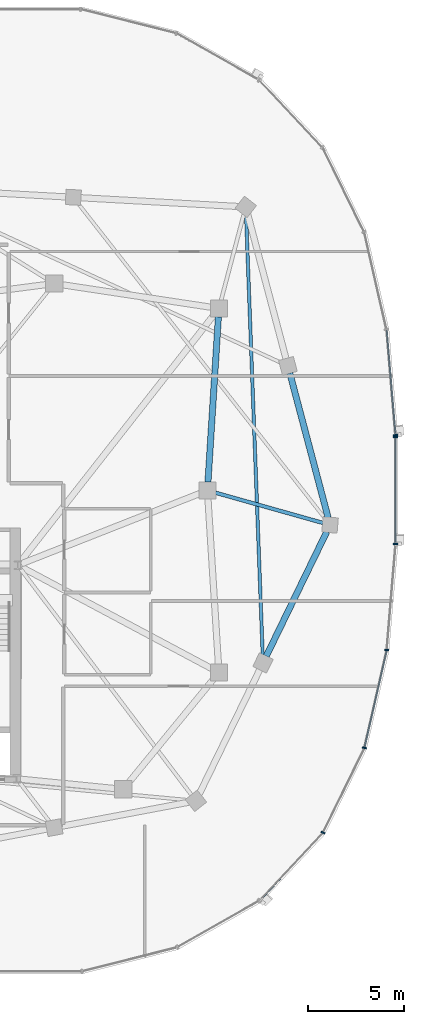
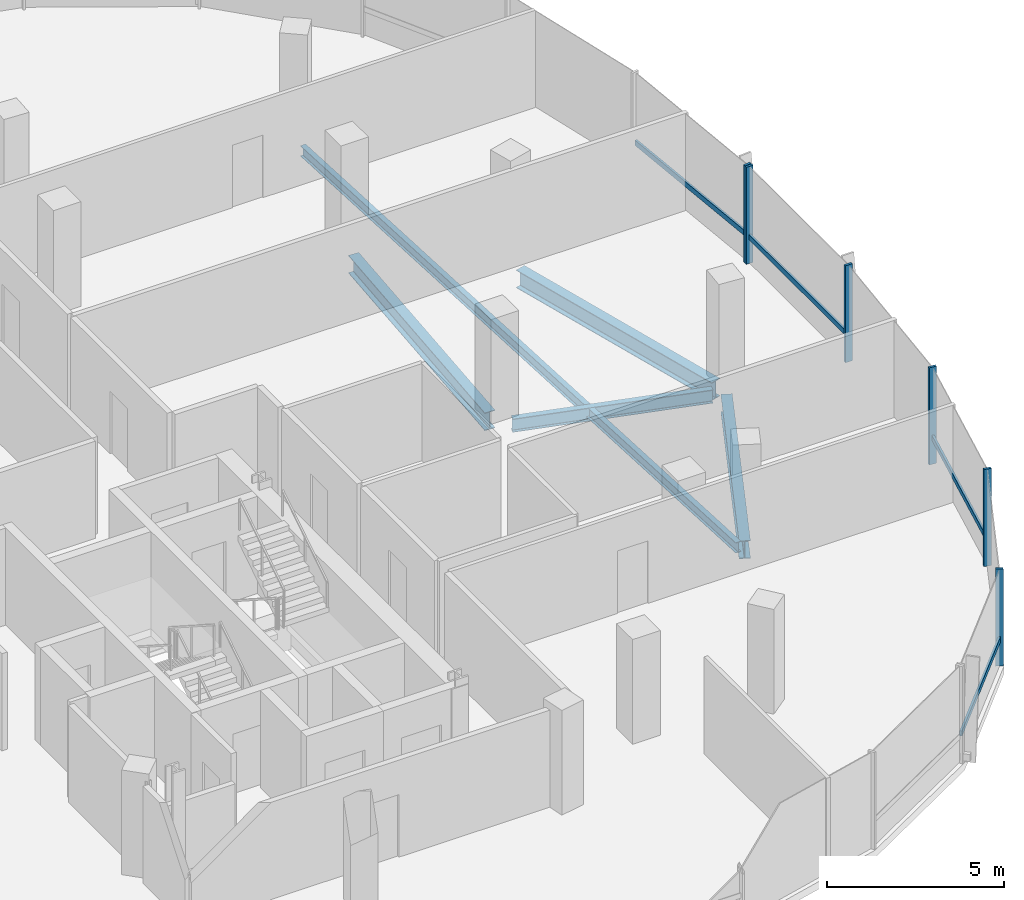
# One storey, part 9 of 25: 10 members, 5 beams, 2 elements without a shape of their own.
"""IFC4 building model written with IfcOpenShell, lengths in metres."""

import ifcopenshell
import ifcopenshell.guid

model = None  # the IFC model being written
_history = None  # IfcOwnerHistory: only IFC2X3 demands one
_inside = {}  # id of a spatial element -> (the spatial element, [elements in it])
_under = {}  # id of a project, library or spatial element -> (it, [spatial elements below it])
_declared = {}  # id of a project -> (the project, [libraries it declares])
_typed = {}  # id of a type object -> (the type object, [elements of that type])
_made_of = {}  # id of a material, layer set ... -> (it, [elements and type objects made of it])


def new_model(schema):
    """Start an empty IFC model of exactly this schema.

    Asked for "IFC4X3", IfcOpenShell would pick the latest addendum, in which some entities
    have other attributes; the version numbers below select the first issue.
    IFC2X3 requires an IfcOwnerHistory on every rooted entity: one is made here for all.
    """
    global model, _history
    if schema == "IFC4X3":
        model = ifcopenshell.file(schema_version=(4, 3, 0, 0))
    else:
        model = ifcopenshell.file(schema=schema)
    _inside.clear()
    _under.clear()
    _declared.clear()
    _typed.clear()
    _made_of.clear()
    _history = None
    if model.schema == "IFC2X3":
        org = make("IfcOrganization", Name="unknown")
        user = make(
            "IfcPersonAndOrganization",
            ThePerson=make("IfcPerson", FamilyName="unknown"),
            TheOrganization=org,
        )
        app = make(
            "IfcApplication",
            ApplicationDeveloper=org,
            Version="unknown",
            ApplicationFullName="unknown",
            ApplicationIdentifier="unknown",
        )
        _history = make(
            "IfcOwnerHistory",
            OwningUser=user,
            OwningApplication=app,
            ChangeAction="ADDED",
            CreationDate=0,
        )
    return model


def make(cls, **values):
    """One entity of the class cls with the attributes given. An attribute that is None is left unset."""
    return model.create_entity(
        cls, **{name: value for name, value in values.items() if value is not None}
    )


def rooted(cls, **values):
    """An entity with a GlobalId (a new one), such as an element, a storey or a relation."""
    return make(cls, GlobalId=ifcopenshell.guid.new(), OwnerHistory=_history, **values)


def si_unit(unit_type, name, prefix=None):
    """IfcSIUnit, for example si_unit("LENGTHUNIT", "METRE", prefix="MILLI")."""
    return make("IfcSIUnit", UnitType=unit_type, Prefix=prefix, Name=name)


def assignment(units):
    """IfcUnitAssignment: the units of a project."""
    return None if units is None else make("IfcUnitAssignment", Units=units)


def point(xyz):
    """IfcCartesianPoint."""
    return None if xyz is None else make("IfcCartesianPoint", Coordinates=xyz)


def direction(xyz):
    """IfcDirection."""
    return None if xyz is None else make("IfcDirection", DirectionRatios=xyz)


def frame(location, z_axis=None, x_axis=None):
    """IfcAxis2Placement3D, a coordinate frame: its origin and axes. An axis left out is left unset."""
    return make(
        "IfcAxis2Placement3D",
        Location=point(location),
        Axis=direction(z_axis),
        RefDirection=direction(x_axis),
    )


def frame_2d(location, x_axis=None):
    """IfcAxis2Placement2D, a coordinate frame in the plane: its origin and x axis."""
    return make(
        "IfcAxis2Placement2D", Location=point(location), RefDirection=direction(x_axis)
    )


def origin():
    """The frame at (0, 0, 0) with its axes left unset."""
    return frame((0.0, 0.0, 0.0))


def origin_2d():
    """The frame at (0, 0) in the plane with its x axis left unset."""
    return frame_2d((0.0, 0.0))


def place(relative_to, where):
    """IfcLocalPlacement: puts the frame where relative to a parent placement (None: the world)."""
    return make(
        "IfcLocalPlacement", PlacementRelTo=relative_to, RelativePlacement=where
    )


def context(
    kind, dimensions, precision=None, world=None, true_north=None, identifier=None
):
    """IfcGeometricRepresentationContext, for example the 3D "Model" context."""
    return make(
        "IfcGeometricRepresentationContext",
        ContextIdentifier=identifier,
        ContextType=kind,
        CoordinateSpaceDimension=dimensions,
        Precision=precision,
        WorldCoordinateSystem=world,
        TrueNorth=true_north,
    )


def subcontext(parent, identifier, kind, view, scale=None):
    """IfcGeometricRepresentationSubContext, for example "Body" below "Model"."""
    return make(
        "IfcGeometricRepresentationSubContext",
        ContextIdentifier=identifier,
        ContextType=kind,
        ParentContext=parent,
        TargetScale=scale,
        TargetView=view,
    )


def project(units=None, contexts=None):
    """IfcProject with its units and contexts."""
    return rooted(
        "IfcProject",
        Name="project",
        RepresentationContexts=contexts,
        UnitsInContext=assignment(units),
    )


def spatial(cls, under=None, at=None, **own):
    """A site, building, storey or space (cls), placed at a placement, below another one or the project."""
    s = rooted(cls, ObjectPlacement=at, **own)
    if under is not None:
        _under.setdefault(under.id(), (under, []))[1].append(s)
    return s


def profile(cls, at=None, kind="AREA", **sizes):
    """A parametric profile (cls). Its sizes go by their IFC names, for example OverallWidth=200.0."""
    return make(cls, ProfileType=kind, Position=at, **sizes)


def rectangle(**sizes):
    """IfcRectangleProfileDef."""
    return profile("IfcRectangleProfileDef", **sizes)


def i_section(**sizes):
    """IfcIShapeProfileDef."""
    return profile("IfcIShapeProfileDef", **sizes)


def extrude(swept, where, along, depth):
    """IfcExtrudedAreaSolid: the profile swept, set in the frame where, extruded along a direction by depth."""
    return make(
        "IfcExtrudedAreaSolid",
        SweptArea=swept,
        Position=where,
        ExtrudedDirection=direction(along),
        Depth=depth,
    )


def shape(context_of_items, identifier, shape_type, items):
    """IfcShapeRepresentation: the items that make up one representation, for example the "Body"."""
    return make(
        "IfcShapeRepresentation",
        ContextOfItems=context_of_items,
        RepresentationIdentifier=identifier,
        RepresentationType=shape_type,
        Items=items,
    )


def material(Name=None, Category=None):
    """IfcMaterial."""
    return make("IfcMaterial", Name=Name, Category=Category)


def material_profile(
    of_material, cross_section, Name=None, Category=None, Priority=None
):
    """IfcMaterialProfile: a cross section and its material."""
    return make(
        "IfcMaterialProfile",
        Name=Name,
        Material=of_material,
        Profile=cross_section,
        Priority=Priority,
        Category=Category,
    )


def profile_set(profiles, Name=None, composite=None):
    """IfcMaterialProfileSet."""
    return make(
        "IfcMaterialProfileSet",
        Name=Name,
        MaterialProfiles=profiles,
        CompositeProfile=composite,
    )


def made_of(thing, what):
    """Note that an element or type object is made of a material, layer set ...; save() writes the relation."""
    if what is not None:
        _made_of.setdefault(what.id(), (what, []))[1].append(thing)
    return thing


def type_object(cls, material=None, **own):
    """A type object (cls), such as IfcWallType, which elements share."""
    return made_of(rooted(cls, **own), material)


def element(
    cls,
    number,
    at=None,
    inside=None,
    cuts=None,
    type_object=None,
    material=None,
    context=None,
    identifier="Body",
    shape_type=None,
    held_by="IfcProductDefinitionShape",
    body=None,
    shapes=None,
    **own,
):
    """One element of the class cls, such as IfcWall. Its Tag is "e" and its number.

    at: its placement. inside: the storey or other place that contains it. cuts: it is an
    opening in that element (IfcRelVoidsElement). A single representation is given by context,
    identifier, shape_type and body (its items); several are given by shapes. held_by: the class
    of the entity that holds the representations. save() writes the other relations.
    """
    e = rooted(cls, Tag="e%d" % number, ObjectPlacement=at, **own)
    if body is not None:
        shapes = [shape(context, identifier, shape_type, body)]
    if shapes is not None:
        e.Representation = make(held_by, Representations=shapes)
    if inside is not None:
        _inside.setdefault(inside.id(), (inside, []))[1].append(e)
    if cuts is not None:
        rooted(
            "IfcRelVoidsElement", RelatingBuildingElement=cuts, RelatedOpeningElement=e
        )
    if type_object is not None:
        _typed.setdefault(type_object.id(), (type_object, []))[1].append(e)
    return made_of(e, material)


def aggregate(whole, parts):
    """IfcRelAggregates: a whole, such as a stair, and the parts it consists of."""
    return rooted("IfcRelAggregates", RelatingObject=whole, RelatedObjects=parts)


def save(model, path):
    """Write the relations noted so far, then the file.

    IfcRelAggregates (storeys below a building ...), IfcRelContainedInSpatialStructure (elements
    in a storey), IfcRelDefinesByType, IfcRelAssociatesMaterial and IfcRelDeclares: one each for
    every whole, place, type object, material and project.
    """
    for whole, parts in _under.values():
        aggregate(whole, parts)
    for where, things in _inside.values():
        rooted(
            "IfcRelContainedInSpatialStructure",
            RelatedElements=things,
            RelatingStructure=where,
        )
    for kind, things in _typed.values():
        rooted("IfcRelDefinesByType", RelatedObjects=things, RelatingType=kind)
    for what, things in _made_of.values():
        rooted("IfcRelAssociatesMaterial", RelatedObjects=things, RelatingMaterial=what)
    for by, libraries in _declared.values():
        rooted("IfcRelDeclares", RelatingContext=by, RelatedDefinitions=libraries)
    model.write(path)


model = new_model("IFC4")

# Units and contexts
model_context = context("Model", 3, precision=1e-05, world=origin(), true_north=direction((0.0, 1.0)))
body_context = subcontext(model_context, "Body", "Model", "MODEL_VIEW")
ifc_project = project(units=[si_unit("LENGTHUNIT", "METRE"), si_unit("AREAUNIT", "SQUARE_METRE"), si_unit("VOLUMEUNIT", "CUBIC_METRE"), si_unit("PLANEANGLEUNIT", "RADIAN"), si_unit("MASSUNIT", "GRAM", prefix="KILO"), si_unit("THERMODYNAMICTEMPERATUREUNIT", "KELVIN"), si_unit("POWERUNIT", "WATT")], contexts=[model_context])

# Site, building, storey
site_placement = place(None, origin())
site = spatial("IfcSite", under=ifc_project, at=site_placement, CompositionType="ELEMENT")
building_placement = place(site_placement, origin())
building = spatial("IfcBuilding", under=site, at=building_placement, Name="Cundina Bronze Exchange", CompositionType="ELEMENT")
storey_placement = place(building_placement, frame((0.0, 0.0, 246.800048828125)))
storey = spatial("IfcBuildingStorey", under=building, at=storey_placement, Name="L65", CompositionType="ELEMENT", Elevation=246.800048828125)

# Beams
ifc_material_1 = material(Name="Steel ASTM A992 Grade 50", Category="steel")
ifc_material_profile_1 = material_profile(ifc_material_1, i_section(OverallWidth=0.19091796875, OverallDepth=0.4599609375, WebThickness=0.010009765625, FlangeThickness=0.01611328125, FilletRadius=0.011962890625, at=origin_2d()), Name="W18X55", Category="steel")
ifc_profile_set_1 = profile_set([ifc_material_profile_1], Name="Steel ASTM A992 Grade 50")
beam_type_1 = type_object("IfcBeamType", Name="BM-FLR-W18B", PredefinedType="BEAM", material=ifc_profile_set_1)
beam_1_placement = place(storey_placement, frame((41.62158203125, -0.11865234375, -0.489990234375), z_axis=(0.962650257113, -0.270748005496, 0.0), x_axis=(0.270748005496, 0.962650257113, 0.0)))
element("IfcBeam", 1, at=beam_1_placement, inside=storey, type_object=beam_type_1, Name="L65 Leg E Chordal Floor Beam 08", PredefinedType="BEAM", context=body_context, shape_type="SweptSolid", body=[
    extrude(i_section(OverallWidth=0.19091796875, OverallDepth=0.4599609375, WebThickness=0.010009765625, FlangeThickness=0.01611328125, FilletRadius=0.011962890625, at=origin_2d()), origin(), (0.0, 0.0, 1.0), 5.822509765625),
])
ifc_material_profile_2 = material_profile(ifc_material_1, i_section(OverallWidth=0.172119140625, OverallDepth=0.35791015625, WebThickness=0.0078125, FlangeThickness=0.01318359375, FilletRadius=0.010009765625, at=origin_2d()), Name="W14X38", Category="steel")
ifc_profile_set_2 = profile_set([ifc_material_profile_2], Name="Steel ASTM A992 Grade 50")
beam_type_2 = type_object("IfcBeamType", Name="BM-JST-W14", PredefinedType="JOIST", material=ifc_profile_set_2)
beam_2_placement = place(storey_placement, frame((44.085205078125, -8.6123046875, -0.43896484375), z_axis=(-0.037784872152, 0.999285896746, 0.0), x_axis=(-0.999285896746, -0.037784872152, 0.0)))
element("IfcBeam", 2, at=beam_2_placement, inside=storey, type_object=beam_type_2, Name="L65 Leg E Lobe Floor Joist 07-10", PredefinedType="JOIST", context=body_context, shape_type="SweptSolid", body=[
    extrude(i_section(OverallWidth=0.172119140625, OverallDepth=0.35791015625, WebThickness=0.0078125, FlangeThickness=0.01318359375, FilletRadius=0.010009765625, at=origin_2d()), origin(), (0.0, 0.0, 1.0), 23.041015625),
])
ifc_material_profile_3 = material_profile(ifc_material_1, i_section(OverallWidth=0.324951171875, OverallDepth=0.615966796875, WebThickness=0.013916015625, FlangeThickness=0.021484375, FilletRadius=0.01611328125, at=origin_2d()), Name="W24X117", Category="steel")
ifc_profile_set_3 = profile_set([ifc_material_profile_3], Name="Steel ASTM A992 Grade 50")
beam_type_3 = type_object("IfcBeamType", Name="BM-RING-W24", PredefinedType="USERDEFINED", material=ifc_profile_set_3)
beam_3_placement = place(storey_placement, frame((41.2275390625, 0.43701171875, -0.568115234375), z_axis=(0.063046519736, 0.998010589297, 0.0), x_axis=(-0.998010589297, 0.063046519736, 0.0)))
element("IfcBeam", 3, at=beam_3_placement, inside=storey, type_object=beam_type_3, Name="L65 E Inner Structural Ring Girder 04", ObjectType="GIRDER", PredefinedType="USERDEFINED", context=body_context, shape_type="SweptSolid", body=[
    extrude(i_section(OverallWidth=0.324951171875, OverallDepth=0.615966796875, WebThickness=0.013916015625, FlangeThickness=0.021484375, FilletRadius=0.01611328125, at=origin_2d()), origin(), (0.0, 0.0, 1.0), 8.64306640625),
])
beam_4_placement = place(storey_placement, frame((44.26953125, -8.65087890625, -0.568115234375), z_axis=(0.437216986791, 0.899356050995, 0.0), x_axis=(-0.899356050995, 0.437216986791, 0.0)))
element("IfcBeam", 4, at=beam_4_placement, inside=storey, type_object=beam_type_3, Name="L65 E Perimeter Ring Girder 07", ObjectType="GIRDER", PredefinedType="USERDEFINED", context=body_context, shape_type="SweptSolid", body=[
    extrude(i_section(OverallWidth=0.324951171875, OverallDepth=0.615966796875, WebThickness=0.013916015625, FlangeThickness=0.021484375, FilletRadius=0.01611328125, at=origin_2d()), origin(), (0.0, 0.0, 1.0), 7.2294921875),
])
beam_5_placement = place(storey_placement, frame((47.50048828125, -1.425048828125, -0.568115234375), z_axis=(-0.256183793797, 0.966628089699, 0.0), x_axis=(-0.966628089699, -0.256183793797, 0.0)))
element("IfcBeam", 5, at=beam_5_placement, inside=storey, type_object=beam_type_3, Name="L65 E Perimeter Ring Girder 08", ObjectType="GIRDER", PredefinedType="USERDEFINED", context=body_context, shape_type="SweptSolid", body=[
    extrude(i_section(OverallWidth=0.324951171875, OverallDepth=0.615966796875, WebThickness=0.013916015625, FlangeThickness=0.021484375, FilletRadius=0.01611328125, at=origin_2d()), origin(), (0.0, 0.0, 1.0), 7.810791015625),
])

# Curtain wall, member
ifc_material_2 = material(Name="Anodised Bronze Aluminium 6063-T6", Category="aluminium")
curtain_wall_type = type_object("IfcCurtainWallType", Name="CWS-SKG-BRG", PredefinedType="NOTDEFINED", material=ifc_material_2)
curtain_wall_1_placement = place(storey_placement, origin())
curtain_wall_1 = element("IfcCurtainWall", 6, at=curtain_wall_1_placement, inside=storey, type_object=curtain_wall_type, Name="L65 CW-06 Curtain Wall Run CWR-L65-E1", PredefinedType="NOTDEFINED")
ifc_material_profile_4 = material_profile(ifc_material_2, rectangle(XDim=0.074951171875, YDim=0.219970703125, at=origin_2d()), Name="AL75X220", Category="aluminium")
ifc_profile_set_4 = profile_set([ifc_material_profile_4], Name="Anodised Bronze Aluminium 6063-T6")
member_type_1 = type_object("IfcMemberType", Name="CWM-MUL-220", PredefinedType="MULLION", material=ifc_profile_set_4)
member_1_placement = place(storey_placement, frame((51.01513671875, 2.885498046875, 0.0), z_axis=(0.0, 0.0, 1.0), x_axis=(-0.083677843332, 0.99649285925, 0.0)))
member_1 = element("IfcMember", 7, at=member_1_placement, type_object=member_type_1, Name="CW-06 Mullion 1", PredefinedType="MULLION", context=body_context, shape_type="SweptSolid", body=[
    extrude(rectangle(XDim=0.074951171875, YDim=0.219970703125, at=origin_2d()), origin(), (0.0, 0.0, 1.0), 3.33984375),
])

# Curtain wall, members
curtain_wall_2_placement = place(storey_placement, origin())
curtain_wall_2 = element("IfcCurtainWall", 8, at=curtain_wall_2_placement, inside=storey, type_object=curtain_wall_type, Name="L65 CW-06 Curtain Wall Run CWR-L65-E4", PredefinedType="NOTDEFINED")
member_2_placement = place(storey_placement, frame((47.2333984375, -17.856689453125, 0.0), z_axis=(0.0, 0.0, 1.0), x_axis=(0.440566004113, 0.897720221461, 0.0)))
member_2 = element("IfcMember", 9, at=member_2_placement, type_object=member_type_1, Name="CW-06 Mullion 2", PredefinedType="MULLION", context=body_context, shape_type="SweptSolid", body=[
    extrude(rectangle(XDim=0.074951171875, YDim=0.219970703125, at=origin_2d()), origin(), (0.0, 0.0, 1.0), 3.33984375),
])
member_3_placement = place(storey_placement, frame((49.39404296875, -13.433837890625, 0.0), z_axis=(0.0, 0.0, 1.0), x_axis=(0.223250116011, 0.974761194191, 0.0)))
member_3 = element("IfcMember", 10, at=member_3_placement, type_object=member_type_1, Name="CW-06 Mullion 3", PredefinedType="MULLION", context=body_context, shape_type="SweptSolid", body=[
    extrude(rectangle(XDim=0.074951171875, YDim=0.219970703125, at=origin_2d()), origin(), (0.0, 0.0, 1.0), 3.33984375),
])
member_4_placement = place(storey_placement, frame((50.557861328125, -8.32568359375, 0.0), z_axis=(0.0, 0.0, 1.0), x_axis=(0.083677843332, 0.99649285925, 0.0)))
member_4 = element("IfcMember", 11, at=member_4_placement, type_object=member_type_1, Name="CW-06 Mullion 4", PredefinedType="MULLION", context=body_context, shape_type="SweptSolid", body=[
    extrude(rectangle(XDim=0.074951171875, YDim=0.219970703125, at=origin_2d()), origin(), (0.0, 0.0, 1.0), 3.33984375),
])
member_5_placement = place(storey_placement, frame((51.01904296875, -2.79150390625, 0.0), z_axis=(0.0, 0.0, 1.0), x_axis=(0.0, 1.0, 0.0)))
member_5 = element("IfcMember", 12, at=member_5_placement, type_object=member_type_1, Name="CW-06 Mullion 5", PredefinedType="MULLION", context=body_context, shape_type="SweptSolid", body=[
    extrude(rectangle(XDim=0.074951171875, YDim=0.219970703125, at=origin_2d()), origin(), (0.0, 0.0, 1.0), 3.33984375),
])
member_6_placement = place(storey_placement, frame((51.01904296875, 2.79150390625, 0.0), z_axis=(0.0, 0.0, 1.0), x_axis=(0.0, 1.0, 0.0)))
member_6 = element("IfcMember", 13, at=member_6_placement, type_object=member_type_1, Name="CW-06 End Mullion", PredefinedType="MULLION", context=body_context, shape_type="SweptSolid", body=[
    extrude(rectangle(XDim=0.074951171875, YDim=0.219970703125, at=origin_2d()), origin(), (0.0, 0.0, 1.0), 3.33984375),
])

# Member
ifc_material_profile_5 = material_profile(ifc_material_2, rectangle(XDim=0.070068359375, YDim=0.179931640625, at=origin_2d()), Name="AL70X180", Category="aluminium")
ifc_profile_set_5 = profile_set([ifc_material_profile_5], Name="Anodised Bronze Aluminium 6063-T6")
member_type_2 = type_object("IfcMemberType", Name="CWM-TRN-180", PredefinedType="USERDEFINED", material=ifc_profile_set_5)
member_7_placement = place(storey_placement, frame((51.01171875, 2.926513671875, 0.919921875), z_axis=(-0.083756005485, 0.996486292703, 0.0), x_axis=(-0.996486292703, -0.083756005485, 0.0)))
member_7 = element("IfcMember", 14, at=member_7_placement, type_object=member_type_2, Name="CW-06 Spandrel Transom 1", ObjectType="TRANSOM", PredefinedType="USERDEFINED", context=body_context, shape_type="SweptSolid", body=[
    extrude(rectangle(XDim=0.070068359375, YDim=0.179931640625, at=origin_2d()), origin(), (0.0, 0.0, 1.0), 5.459716796875),
])

aggregate(curtain_wall_1, [member_1, member_7])

member_8_placement = place(storey_placement, frame((43.968505859375, -21.349609375, 0.919921875), z_axis=(0.684328474899, 0.729173873944, 0.0), x_axis=(-0.729173873944, 0.684328474899, 0.0)))
member_8 = element("IfcMember", 15, at=member_8_placement, type_object=member_type_2, Name="CW-06 Spandrel Transom 1", ObjectType="TRANSOM", PredefinedType="USERDEFINED", context=body_context, shape_type="SweptSolid", body=[
    extrude(rectangle(XDim=0.070068359375, YDim=0.179931640625, at=origin_2d()), origin(), (0.0, 0.0, 1.0), 4.758056640625),
])

member_9_placement = place(storey_placement, frame((49.4033203125, -13.3935546875, 0.919921875), z_axis=(0.223257048806, 0.974759606343, 0.0), x_axis=(-0.974759606343, 0.223257048806, 0.0)))
member_9 = element("IfcMember", 16, at=member_9_placement, type_object=member_type_2, Name="CW-06 Spandrel Transom 3", ObjectType="TRANSOM", PredefinedType="USERDEFINED", context=body_context, shape_type="SweptSolid", body=[
    extrude(rectangle(XDim=0.070068359375, YDim=0.179931640625, at=origin_2d()), origin(), (0.0, 0.0, 1.0), 5.15283203125),
])

member_10_placement = place(storey_placement, frame((51.01904296875, -2.750244140625, 0.919921875), z_axis=(0.0, 1.0, 0.0), x_axis=(-1.0, 0.0, 0.0)))
member_10 = element("IfcMember", 17, at=member_10_placement, type_object=member_type_2, Name="CW-06 Spandrel Transom 5", ObjectType="TRANSOM", PredefinedType="USERDEFINED", context=body_context, shape_type="SweptSolid", body=[
    extrude(rectangle(XDim=0.070068359375, YDim=0.179931640625, at=origin_2d()), origin(), (0.0, 0.0, 1.0), 5.50048828125),
])

aggregate(curtain_wall_2, [member_8, member_2, member_3, member_9, member_4, member_5, member_6, member_10])

save(model, "model.ifc")
